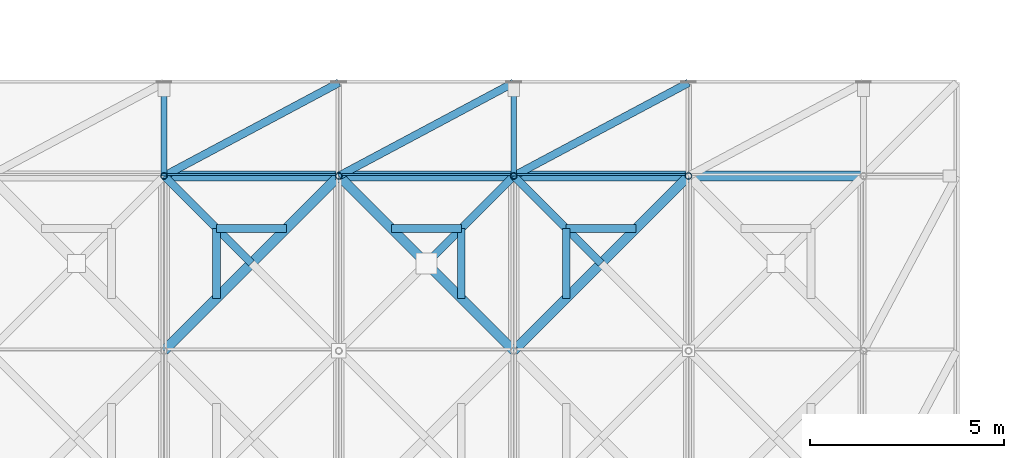
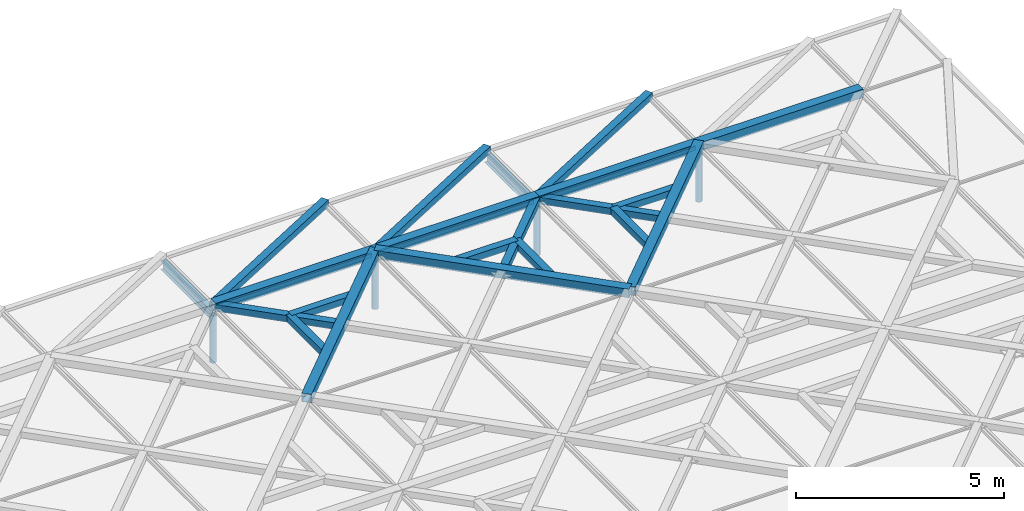
# One storey, part 60 of 80: 24 members, 2 beams, 3 elements without a shape of their own.
"""IFC4 building model written with IfcOpenShell, lengths in metres."""

from ifc_helpers import new_model, si_unit, direction, frame, origin, origin_2d, place, context, subcontext, project, spatial, rectangle, hollow_rectangle, hollow_circle, i_section, extrude, material, material_profile, profile_set, type_object, element, aggregate, save


model = new_model("IFC4")

# Units and contexts
model_context = context("Model", 3, precision=1e-05, world=origin(), true_north=direction((0.0, 1.0)))
body_context = subcontext(model_context, "Body", "Model", "MODEL_VIEW")
ifc_project = project(units=[si_unit("LENGTHUNIT", "METRE"), si_unit("AREAUNIT", "SQUARE_METRE"), si_unit("VOLUMEUNIT", "CUBIC_METRE"), si_unit("PLANEANGLEUNIT", "RADIAN"), si_unit("MASSUNIT", "GRAM", prefix="KILO"), si_unit("THERMODYNAMICTEMPERATUREUNIT", "KELVIN"), si_unit("POWERUNIT", "WATT")], contexts=[model_context])

# Site, building, storey
site_placement = place(None, origin())
site = spatial("IfcSite", under=ifc_project, at=site_placement, CompositionType="ELEMENT")
building_placement = place(site_placement, origin())
building = spatial("IfcBuilding", under=site, at=building_placement, Name="Tallowbark Science Centre", CompositionType="ELEMENT")
storey_placement = place(building_placement, frame((0.0, 0.0, 25.949951171875)))
storey = spatial("IfcBuildingStorey", under=building, at=storey_placement, Name="ROOF", CompositionType="ELEMENT", Elevation=25.949951171875)

# Beams
ifc_material_1 = material(Name="White Architectural Painted Steel Grade C350L0 (350 MPa)", Category="steel")
ifc_material_profile_1 = material_profile(ifc_material_1, i_section(OverallWidth=0.146484375, OverallDepth=0.256103515625, WebThickness=0.00634765625, FlangeThickness=0.010986328125, FilletRadius=0.0087890625, at=origin_2d()), Name="250UB37.3")
ifc_profile_set_1 = profile_set([ifc_material_profile_1], Name="White Architectural Painted Steel Grade C350L0 (350 MPa)")
beam_type = type_object("IfcBeamType", Name="BM-OUT250", PredefinedType="BEAM", material=ifc_profile_set_1)
for number, where, z_axis, x_axis, name in (
    (1, (85.5, 40.5, 0.199951171875), (0.0, 1.0, 0.0), (-1.0, 0.0, 0.0), "Star Screen Outrigger Tie Beam N-108"),
    (2, (94.5, 40.5, 0.199951171875), (0.0, 1.0, 0.0), (-1.0, 0.0, 0.0), "Star Screen Outrigger Tie Beam N-110"),
):
    element("IfcBeam", number, at=place(storey_placement, frame(where, z_axis=z_axis, x_axis=x_axis)), inside=storey, type_object=beam_type, Name=name, PredefinedType="BEAM", context=body_context, shape_type="SweptSolid", body=[
        extrude(i_section(OverallWidth=0.146484375, OverallDepth=0.256103515625, WebThickness=0.00634765625, FlangeThickness=0.010986328125, FilletRadius=0.0087890625, at=origin_2d()), origin(), (0.0, 0.0, 1.0), 2.39990234375),
    ])

# Curtain wall, member
ifc_material_2 = material(Name="Blue-Tinted Laminated Low-E Skylight Glass", Category="glass")
curtain_wall_type = type_object("IfcCurtainWallType", Name="CW-SKY-ROOF", PredefinedType="NOTDEFINED", material=ifc_material_2)
curtain_wall_1_placement = place(storey_placement, origin())
curtain_wall_1 = element("IfcCurtainWall", 3, at=curtain_wall_1_placement, inside=storey, type_object=curtain_wall_type, Name="Exhibition Star-Screen Skylight Bay 8", PredefinedType="NOTDEFINED")
ifc_material_3 = material(Name="Anodised Architectural Aluminium Alloy 6063-T6", Category="aluminium")
ifc_material_profile_2 = material_profile(ifc_material_3, rectangle(XDim=0.054931640625, YDim=0.1201171875, at=origin_2d()), Name="ALU55x120")
ifc_profile_set_2 = profile_set([ifc_material_profile_2], Name="Anodised Architectural Aluminium Alloy 6063-T6")
member_type_1 = type_object("IfcMemberType", Name="CWM-SKY-TRN", PredefinedType="USERDEFINED", material=ifc_profile_set_2)
member_1_placement = place(storey_placement, frame((85.580078125, 40.5400390625, 0.35205078125), z_axis=(1.0, 0.0, 0.0), x_axis=(0.0, 1.0, 0.0)))
member_1 = element("IfcMember", 4, at=member_1_placement, type_object=member_type_1, Name="Skylight Bay 8 Transom 10", ObjectType="TRANSOM", PredefinedType="USERDEFINED", context=body_context, shape_type="SweptSolid", body=[
    extrude(rectangle(XDim=0.054931640625, YDim=0.1201171875, at=origin_2d()), origin(), (0.0, 0.0, 1.0), 4.33984375),
])
aggregate(curtain_wall_1, [member_1])

curtain_wall_2_placement = place(storey_placement, origin())
curtain_wall_2 = element("IfcCurtainWall", 5, at=curtain_wall_2_placement, inside=storey, type_object=curtain_wall_type, Name="Exhibition Star-Screen Skylight Bay 9", PredefinedType="NOTDEFINED")
member_2_placement = place(storey_placement, frame((90.080078125, 40.5400390625, 0.35205078125), z_axis=(1.0, 0.0, 0.0), x_axis=(0.0, 1.0, 0.0)))
member_2 = element("IfcMember", 6, at=member_2_placement, type_object=member_type_1, Name="Skylight Bay 9 Transom 10", ObjectType="TRANSOM", PredefinedType="USERDEFINED", context=body_context, shape_type="SweptSolid", body=[
    extrude(rectangle(XDim=0.054931640625, YDim=0.1201171875, at=origin_2d()), origin(), (0.0, 0.0, 1.0), 4.33984375),
])
aggregate(curtain_wall_2, [member_2])

curtain_wall_3_placement = place(storey_placement, origin())
curtain_wall_3 = element("IfcCurtainWall", 7, at=curtain_wall_3_placement, inside=storey, type_object=curtain_wall_type, Name="Exhibition Star-Screen Skylight Bay 10", PredefinedType="NOTDEFINED")
member_3_placement = place(storey_placement, frame((94.580078125, 40.5400390625, 0.35205078125), z_axis=(1.0, 0.0, 0.0), x_axis=(0.0, 1.0, 0.0)))
member_3 = element("IfcMember", 8, at=member_3_placement, type_object=member_type_1, Name="Skylight Bay 10 Transom 10", ObjectType="TRANSOM", PredefinedType="USERDEFINED", context=body_context, shape_type="SweptSolid", body=[
    extrude(rectangle(XDim=0.054931640625, YDim=0.1201171875, at=origin_2d()), origin(), (0.0, 0.0, 1.0), 4.33984375),
])
aggregate(curtain_wall_3, [member_3])

# Members
ifc_material_profile_3 = material_profile(ifc_material_1, hollow_rectangle(XDim=0.25, YDim=0.25, WallThickness=0.009033203125, at=origin_2d()), Name="250x250x9.0SHS")
ifc_profile_set_3 = profile_set([ifc_material_profile_3], Name="White Architectural Painted Steel Grade C350L0 (350 MPa)")
member_type_2 = type_object("IfcMemberType", Name="SCR-CHD200", PredefinedType="CHORD", material=ifc_profile_set_3)
member_4_placement = place(storey_placement, frame((85.5, 40.5, 0.449951171875), z_axis=(1.0, 0.0, 0.0), x_axis=(0.0, 1.0, 0.0)))
element("IfcMember", 9, at=member_4_placement, inside=storey, type_object=member_type_2, Name="Star Screen Frame Chord TOP-69", PredefinedType="CHORD", context=body_context, shape_type="SweptSolid", body=[
    extrude(hollow_rectangle(XDim=0.25, YDim=0.25, WallThickness=0.009033203125, at=origin_2d()), origin(), (0.0, 0.0, 1.0), 9.0),
])
for number, where, z_axis, x_axis, name in (
    (10, (94.5, 36.0, 0.449951171875), (-0.707106781187, 0.707106781187, 0.0), (-0.707106781187, -0.707106781187, 0.0), "Star Screen Octagram Diamond Chord TOP-69-2"),
    (11, (90.0, 40.5, 0.449951171875), (-0.707106781187, -0.707106781187, 0.0), (0.707106781187, -0.707106781187, 0.0), "Star Screen Octagram Diamond Chord TOP-69-3"),
):
    element("IfcMember", number, at=place(storey_placement, frame(where, z_axis=z_axis, x_axis=x_axis)), inside=storey, type_object=member_type_2, Name=name, PredefinedType="CHORD", context=body_context, shape_type="SweptSolid", body=[
        extrude(hollow_rectangle(XDim=0.25, YDim=0.25, WallThickness=0.009033203125, at=origin_2d()), origin(), (0.0, 0.0, 1.0), 6.364013671875),
    ])
member_5_placement = place(storey_placement, frame((94.5, 40.5, 0.449951171875), z_axis=(1.0, 0.0, 0.0), x_axis=(0.0, 1.0, 0.0)))
element("IfcMember", 12, at=member_5_placement, inside=storey, type_object=member_type_2, Name="Star Screen Frame Chord TOP-73", PredefinedType="CHORD", context=body_context, shape_type="SweptSolid", body=[
    extrude(hollow_rectangle(XDim=0.25, YDim=0.25, WallThickness=0.009033203125, at=origin_2d()), origin(), (0.0, 0.0, 1.0), 9.0),
])
member_6_placement = place(storey_placement, frame((99.0, 40.5, 0.449951171875), z_axis=(-0.707106781187, -0.707106781187, 0.0), x_axis=(0.707106781187, -0.707106781187, 0.0)))
element("IfcMember", 13, at=member_6_placement, inside=storey, type_object=member_type_2, Name="Star Screen Octagram Diamond Chord TOP-73-3", PredefinedType="CHORD", context=body_context, shape_type="SweptSolid", body=[
    extrude(hollow_rectangle(XDim=0.25, YDim=0.25, WallThickness=0.009033203125, at=origin_2d()), origin(), (0.0, 0.0, 1.0), 6.364013671875),
])
ifc_material_profile_4 = material_profile(ifc_material_1, hollow_rectangle(XDim=0.199951171875, YDim=0.199951171875, WallThickness=0.009033203125, at=origin_2d()), Name="200x200x9.0SHS")
ifc_profile_set_4 = profile_set([ifc_material_profile_4], Name="White Architectural Painted Steel Grade C350L0 (350 MPa)")
member_type_3 = type_object("IfcMemberType", Name="SCR-STAR139", PredefinedType="BRACE", material=ifc_profile_set_4)
for number, where, z_axis, x_axis, name in (
    (14, (92.25, 38.25, 0.449951171875), (0.707106781187, 0.707106781187, 0.0), (-0.707106781187, 0.707106781187, 0.0), "Star Screen Continuous X-Diagonal D1B TOP-69"),
    (15, (85.5, 40.5, 0.449951171875), (0.707106781187, -0.707106781187, 0.0), (0.707106781187, 0.707106781187, 0.0), "Star Screen Split X-Diagonal D2A TOP-69"),
    (16, (94.5, 40.5, 0.449951171875), (0.707106781187, -0.707106781187, 0.0), (0.707106781187, 0.707106781187, 0.0), "Star Screen Split X-Diagonal D2A TOP-73"),
):
    element("IfcMember", number, at=place(storey_placement, frame(where, z_axis=z_axis, x_axis=x_axis)), inside=storey, type_object=member_type_3, Name=name, PredefinedType="BRACE", context=body_context, shape_type="SweptSolid", body=[
        extrude(hollow_rectangle(XDim=0.199951171875, YDim=0.199951171875, WallThickness=0.009033203125, at=origin_2d()), origin(), (0.0, 0.0, 1.0), 3.181884765625),
    ])
for number, where, z_axis, x_axis, name in (
    (17, (85.5, 40.5, 0.449951171875), (0.882360891967, 0.470573327259, 0.0), (-0.470573327259, 0.882360891967, 0.0), "Top Perimeter Gap Star Diagonal 8-10"),
    (18, (90.0, 40.5, 0.449951171875), (0.882360891967, 0.470573327259, 0.0), (-0.470573327259, 0.882360891967, 0.0), "Top Perimeter Gap Star Diagonal 9-10"),
    (19, (94.5, 40.5, 0.449951171875), (0.882360891967, 0.470573327259, 0.0), (-0.470573327259, 0.882360891967, 0.0), "Top Perimeter Gap Star Diagonal 10-10"),
):
    element("IfcMember", number, at=place(storey_placement, frame(where, z_axis=z_axis, x_axis=x_axis)), inside=storey, type_object=member_type_3, Name=name, PredefinedType="BRACE", context=body_context, shape_type="SweptSolid", body=[
        extrude(hollow_rectangle(XDim=0.199951171875, YDim=0.199951171875, WallThickness=0.009033203125, at=origin_2d()), origin(), (0.0, 0.0, 1.0), 5.099853515625),
    ])
ifc_material_profile_5 = material_profile(ifc_material_1, hollow_rectangle(XDim=0.199951171875, YDim=0.199951171875, WallThickness=0.009033203125, at=origin_2d()), Name="200x200x9.0SHS")
ifc_profile_set_5 = profile_set([ifc_material_profile_5], Name="White Architectural Painted Steel Grade C350L0 (350 MPa)")
member_type_4 = type_object("IfcMemberType", Name="SCR-SUB150", PredefinedType="BRACE", material=ifc_profile_set_5)
for number, where, z_axis, x_axis, name in (
    (20, (93.14990234375, 39.14990234375, 0.449951171875), (-1.0, 0.0, 0.0), (0.0, -1.0, 0.0), "Star Screen Octagram Point Ray TOP-69-5"),
    (21, (93.14990234375, 39.14990234375, 0.449951171875), (0.0, -1.0, 0.0), (1.0, 0.0, 0.0), "Star Screen Octagram Point Ray TOP-69-6"),
    (22, (86.85009765625, 39.14990234375, 0.449951171875), (1.0, 0.0, 0.0), (0.0, 1.0, 0.0), "Star Screen Octagram Point Ray TOP-69-7"),
    (23, (86.85009765625, 39.14990234375, 0.449951171875), (0.0, -1.0, 0.0), (1.0, 0.0, 0.0), "Star Screen Octagram Point Ray TOP-69-8"),
    (24, (95.85009765625, 39.14990234375, 0.449951171875), (1.0, 0.0, 0.0), (0.0, 1.0, 0.0), "Star Screen Octagram Point Ray TOP-73-7"),
    (25, (95.85009765625, 39.14990234375, 0.449951171875), (0.0, -1.0, 0.0), (1.0, 0.0, 0.0), "Star Screen Octagram Point Ray TOP-73-8"),
):
    element("IfcMember", number, at=place(storey_placement, frame(where, z_axis=z_axis, x_axis=x_axis)), inside=storey, type_object=member_type_4, Name=name, PredefinedType="BRACE", context=body_context, shape_type="SweptSolid", body=[
        extrude(hollow_rectangle(XDim=0.199951171875, YDim=0.199951171875, WallThickness=0.009033203125, at=origin_2d()), origin(), (0.0, 0.0, 1.0), 1.7998046875),
    ])
ifc_material_profile_6 = material_profile(ifc_material_1, hollow_circle(Radius=0.084228515625, WallThickness=0.007080078125, at=origin_2d()), Name="168.3x7.1CHS")
ifc_profile_set_6 = profile_set([ifc_material_profile_6], Name="White Architectural Painted Steel Grade C350L0 (350 MPa)")
member_type_5 = type_object("IfcMemberType", Name="TR-WEB168", PredefinedType="BRACE", material=ifc_profile_set_6)
for number, where, z_axis, x_axis, name in (
    (26, (85.5, 40.5, -1.199951171875), (0.0, 0.0, 1.0), (1.0, 0.0, 0.0), "Exhibition Roof Truss Web 7-40.5"),
    (27, (90.0, 40.5, -1.199951171875), (0.0, 0.0, 1.0), (1.0, 0.0, 0.0), "Exhibition Roof Truss Web 8-40.5"),
    (28, (94.5, 40.5, -1.199951171875), (0.0, 0.0, 1.0), (1.0, 0.0, 0.0), "Exhibition Roof Truss Web 9-40.5"),
    (29, (99.0, 40.5, -1.199951171875), (0.0, 0.0, 1.0), (1.0, 0.0, 0.0), "Exhibition Roof Truss Web 10-40.5"),
):
    element("IfcMember", number, at=place(storey_placement, frame(where, z_axis=z_axis, x_axis=x_axis)), inside=storey, type_object=member_type_5, Name=name, PredefinedType="BRACE", context=body_context, shape_type="SweptSolid", body=[
        extrude(hollow_circle(Radius=0.084228515625, WallThickness=0.007080078125, at=origin_2d()), origin(), (0.0, 0.0, 1.0), 1.389892578125),
    ])

save(model, "model.ifc")
